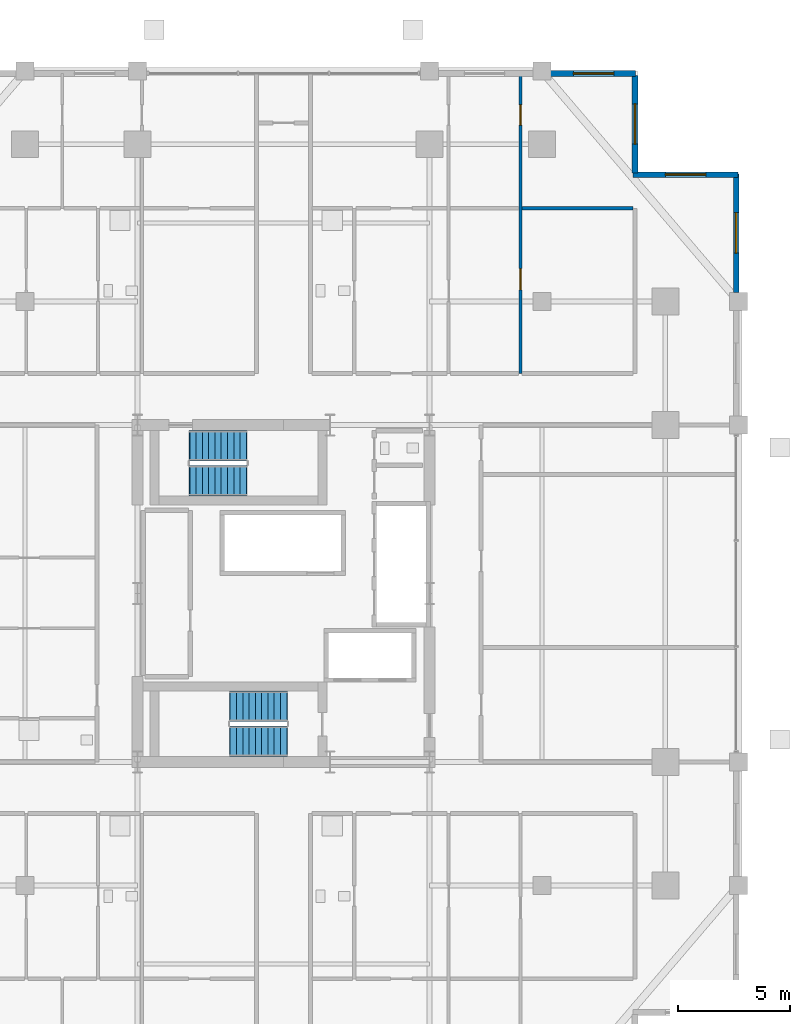
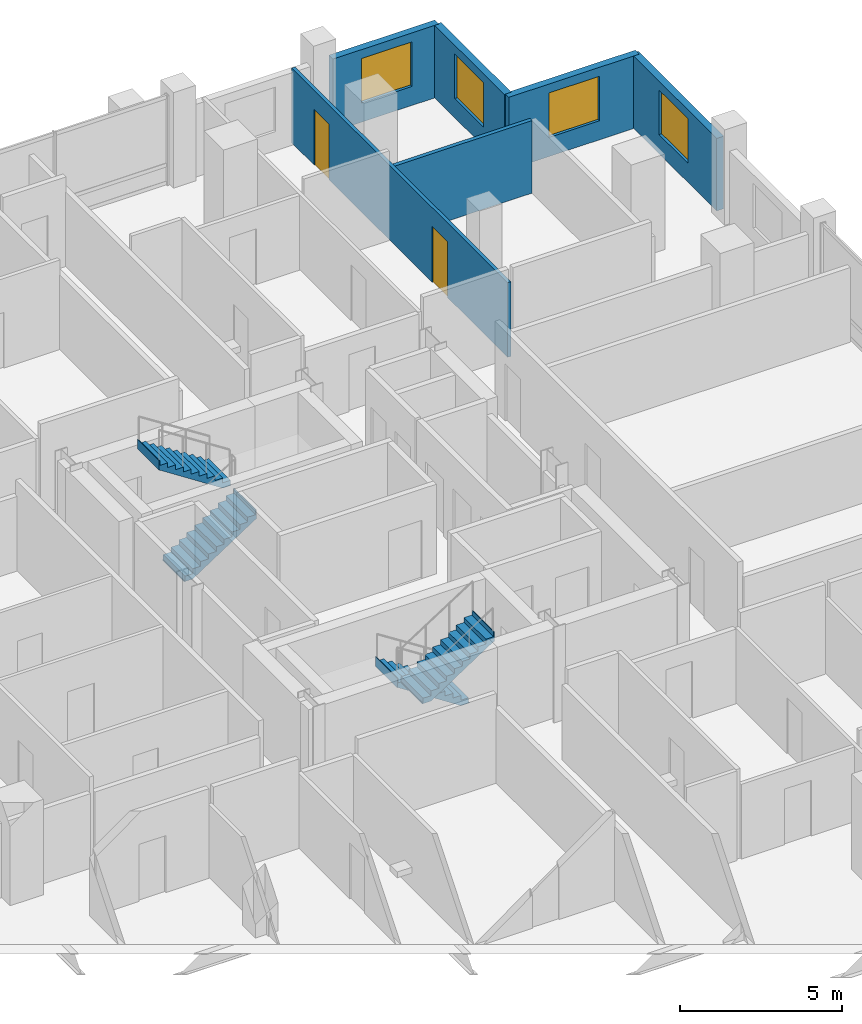
# One storey, part 18 of 20: 6 walls, 4 stair flights, 4 windows, 2 doors, 6 openings, 2 elements without a shape of their own.
"""IFC4 building model written with IfcOpenShell, lengths in metres."""

import ifcopenshell
import ifcopenshell.guid

model = None  # the IFC model being written
_history = None  # IfcOwnerHistory: only IFC2X3 demands one
_inside = {}  # id of a spatial element -> (the spatial element, [elements in it])
_under = {}  # id of a project, library or spatial element -> (it, [spatial elements below it])
_declared = {}  # id of a project -> (the project, [libraries it declares])
_typed = {}  # id of a type object -> (the type object, [elements of that type])
_made_of = {}  # id of a material, layer set ... -> (it, [elements and type objects made of it])


def new_model(schema):
    """Start an empty IFC model of exactly this schema.

    Asked for "IFC4X3", IfcOpenShell would pick the latest addendum, in which some entities
    have other attributes; the version numbers below select the first issue.
    IFC2X3 requires an IfcOwnerHistory on every rooted entity: one is made here for all.
    """
    global model, _history
    if schema == "IFC4X3":
        model = ifcopenshell.file(schema_version=(4, 3, 0, 0))
    else:
        model = ifcopenshell.file(schema=schema)
    _inside.clear()
    _under.clear()
    _declared.clear()
    _typed.clear()
    _made_of.clear()
    _history = None
    if model.schema == "IFC2X3":
        org = make("IfcOrganization", Name="unknown")
        user = make(
            "IfcPersonAndOrganization",
            ThePerson=make("IfcPerson", FamilyName="unknown"),
            TheOrganization=org,
        )
        app = make(
            "IfcApplication",
            ApplicationDeveloper=org,
            Version="unknown",
            ApplicationFullName="unknown",
            ApplicationIdentifier="unknown",
        )
        _history = make(
            "IfcOwnerHistory",
            OwningUser=user,
            OwningApplication=app,
            ChangeAction="ADDED",
            CreationDate=0,
        )
    return model


def make(cls, **values):
    """One entity of the class cls with the attributes given. An attribute that is None is left unset."""
    return model.create_entity(
        cls, **{name: value for name, value in values.items() if value is not None}
    )


def rooted(cls, **values):
    """An entity with a GlobalId (a new one), such as an element, a storey or a relation."""
    return make(cls, GlobalId=ifcopenshell.guid.new(), OwnerHistory=_history, **values)


def si_unit(unit_type, name, prefix=None):
    """IfcSIUnit, for example si_unit("LENGTHUNIT", "METRE", prefix="MILLI")."""
    return make("IfcSIUnit", UnitType=unit_type, Prefix=prefix, Name=name)


def assignment(units):
    """IfcUnitAssignment: the units of a project."""
    return None if units is None else make("IfcUnitAssignment", Units=units)


def point(xyz):
    """IfcCartesianPoint."""
    return None if xyz is None else make("IfcCartesianPoint", Coordinates=xyz)


def direction(xyz):
    """IfcDirection."""
    return None if xyz is None else make("IfcDirection", DirectionRatios=xyz)


def frame(location, z_axis=None, x_axis=None):
    """IfcAxis2Placement3D, a coordinate frame: its origin and axes. An axis left out is left unset."""
    return make(
        "IfcAxis2Placement3D",
        Location=point(location),
        Axis=direction(z_axis),
        RefDirection=direction(x_axis),
    )


def frame_2d(location, x_axis=None):
    """IfcAxis2Placement2D, a coordinate frame in the plane: its origin and x axis."""
    return make(
        "IfcAxis2Placement2D", Location=point(location), RefDirection=direction(x_axis)
    )


def origin():
    """The frame at (0, 0, 0) with its axes left unset."""
    return frame((0.0, 0.0, 0.0))


def place(relative_to, where):
    """IfcLocalPlacement: puts the frame where relative to a parent placement (None: the world)."""
    return make(
        "IfcLocalPlacement", PlacementRelTo=relative_to, RelativePlacement=where
    )


def context(
    kind, dimensions, precision=None, world=None, true_north=None, identifier=None
):
    """IfcGeometricRepresentationContext, for example the 3D "Model" context."""
    return make(
        "IfcGeometricRepresentationContext",
        ContextIdentifier=identifier,
        ContextType=kind,
        CoordinateSpaceDimension=dimensions,
        Precision=precision,
        WorldCoordinateSystem=world,
        TrueNorth=true_north,
    )


def subcontext(parent, identifier, kind, view, scale=None):
    """IfcGeometricRepresentationSubContext, for example "Body" below "Model"."""
    return make(
        "IfcGeometricRepresentationSubContext",
        ContextIdentifier=identifier,
        ContextType=kind,
        ParentContext=parent,
        TargetScale=scale,
        TargetView=view,
    )


def project(units=None, contexts=None):
    """IfcProject with its units and contexts."""
    return rooted(
        "IfcProject",
        Name="project",
        RepresentationContexts=contexts,
        UnitsInContext=assignment(units),
    )


def spatial(cls, under=None, at=None, **own):
    """A site, building, storey or space (cls), placed at a placement, below another one or the project."""
    s = rooted(cls, ObjectPlacement=at, **own)
    if under is not None:
        _under.setdefault(under.id(), (under, []))[1].append(s)
    return s


def polyline(points):
    """IfcPolyline through the points."""
    return make("IfcPolyline", Points=[point(p) for p in points])


def profile(cls, at=None, kind="AREA", **sizes):
    """A parametric profile (cls). Its sizes go by their IFC names, for example OverallWidth=200.0."""
    return make(cls, ProfileType=kind, Position=at, **sizes)


def rectangle(**sizes):
    """IfcRectangleProfileDef."""
    return profile("IfcRectangleProfileDef", **sizes)


def outline(outer, holes=None, kind="AREA"):
    """IfcArbitraryClosedProfileDef: a profile drawn as a closed curve; with holes, ...WithVoids."""
    if holes is None:
        return make("IfcArbitraryClosedProfileDef", ProfileType=kind, OuterCurve=outer)
    return make(
        "IfcArbitraryProfileDefWithVoids",
        ProfileType=kind,
        OuterCurve=outer,
        InnerCurves=holes,
    )


def extrude(swept, where, along, depth):
    """IfcExtrudedAreaSolid: the profile swept, set in the frame where, extruded along a direction by depth."""
    return make(
        "IfcExtrudedAreaSolid",
        SweptArea=swept,
        Position=where,
        ExtrudedDirection=direction(along),
        Depth=depth,
    )


def shape(context_of_items, identifier, shape_type, items):
    """IfcShapeRepresentation: the items that make up one representation, for example the "Body"."""
    return make(
        "IfcShapeRepresentation",
        ContextOfItems=context_of_items,
        RepresentationIdentifier=identifier,
        RepresentationType=shape_type,
        Items=items,
    )


def material(Name=None, Category=None):
    """IfcMaterial."""
    return make("IfcMaterial", Name=Name, Category=Category)


def layer(
    of_material, thickness, ventilated=None, Name=None, Category=None, Priority=None
):
    """IfcMaterialLayer: one layer of a wall or slab, of a material (None: an air gap)."""
    return make(
        "IfcMaterialLayer",
        Material=of_material,
        LayerThickness=thickness,
        IsVentilated=ventilated,
        Name=Name,
        Category=Category,
        Priority=Priority,
    )


def layer_set(layers, Name=None):
    """IfcMaterialLayerSet."""
    return make("IfcMaterialLayerSet", MaterialLayers=layers, LayerSetName=Name)


def made_of(thing, what):
    """Note that an element or type object is made of a material, layer set ...; save() writes the relation."""
    if what is not None:
        _made_of.setdefault(what.id(), (what, []))[1].append(thing)
    return thing


def type_object(cls, material=None, **own):
    """A type object (cls), such as IfcWallType, which elements share."""
    return made_of(rooted(cls, **own), material)


def element(
    cls,
    number,
    at=None,
    inside=None,
    cuts=None,
    type_object=None,
    material=None,
    context=None,
    identifier="Body",
    shape_type=None,
    held_by="IfcProductDefinitionShape",
    body=None,
    shapes=None,
    **own,
):
    """One element of the class cls, such as IfcWall. Its Tag is "e" and its number.

    at: its placement. inside: the storey or other place that contains it. cuts: it is an
    opening in that element (IfcRelVoidsElement). A single representation is given by context,
    identifier, shape_type and body (its items); several are given by shapes. held_by: the class
    of the entity that holds the representations. save() writes the other relations.
    """
    e = rooted(cls, Tag="e%d" % number, ObjectPlacement=at, **own)
    if body is not None:
        shapes = [shape(context, identifier, shape_type, body)]
    if shapes is not None:
        e.Representation = make(held_by, Representations=shapes)
    if inside is not None:
        _inside.setdefault(inside.id(), (inside, []))[1].append(e)
    if cuts is not None:
        rooted(
            "IfcRelVoidsElement", RelatingBuildingElement=cuts, RelatedOpeningElement=e
        )
    if type_object is not None:
        _typed.setdefault(type_object.id(), (type_object, []))[1].append(e)
    return made_of(e, material)


def fill(opening, filler):
    """IfcRelFillsElement: the door or window that sits in an opening."""
    return rooted(
        "IfcRelFillsElement",
        RelatingOpeningElement=opening,
        RelatedBuildingElement=filler,
    )


def aggregate(whole, parts):
    """IfcRelAggregates: a whole, such as a stair, and the parts it consists of."""
    return rooted("IfcRelAggregates", RelatingObject=whole, RelatedObjects=parts)


def save(model, path):
    """Write the relations noted so far, then the file.

    IfcRelAggregates (storeys below a building ...), IfcRelContainedInSpatialStructure (elements
    in a storey), IfcRelDefinesByType, IfcRelAssociatesMaterial and IfcRelDeclares: one each for
    every whole, place, type object, material and project.
    """
    for whole, parts in _under.values():
        aggregate(whole, parts)
    for where, things in _inside.values():
        rooted(
            "IfcRelContainedInSpatialStructure",
            RelatedElements=things,
            RelatingStructure=where,
        )
    for kind, things in _typed.values():
        rooted("IfcRelDefinesByType", RelatedObjects=things, RelatingType=kind)
    for what, things in _made_of.values():
        rooted("IfcRelAssociatesMaterial", RelatedObjects=things, RelatingMaterial=what)
    for by, libraries in _declared.values():
        rooted("IfcRelDeclares", RelatingContext=by, RelatedDefinitions=libraries)
    model.write(path)


model = new_model("IFC4")

# Units and contexts
model_context = context("Model", 3, precision=1e-05, world=origin(), true_north=direction((0.0, 1.0)))
body_context = subcontext(model_context, "Body", "Model", "MODEL_VIEW")
ifc_project = project(units=[si_unit("LENGTHUNIT", "METRE"), si_unit("AREAUNIT", "SQUARE_METRE"), si_unit("VOLUMEUNIT", "CUBIC_METRE"), si_unit("PLANEANGLEUNIT", "RADIAN"), si_unit("MASSUNIT", "GRAM", prefix="KILO")], contexts=[model_context])

# Site, building, storey
site_placement = place(None, origin())
site = spatial("IfcSite", under=ifc_project, at=site_placement, CompositionType="ELEMENT")
building_placement = place(site_placement, origin())
building = spatial("IfcBuilding", under=site, at=building_placement, Name="Barlavira Tower and Art Museum", CompositionType="ELEMENT")
storey_placement = place(building_placement, frame((0.0, 0.0, 136.800048828125)))
storey = spatial("IfcBuildingStorey", under=building, at=storey_placement, Name="L34", CompositionType="ELEMENT", Elevation=136.800048828125)

# Wall, openings, doors
ifc_material_1 = material(Name="Gypsum acoustic stud partition", Category="gypsum")
ifc_layer_1 = layer(ifc_material_1, 0.1201171875, Name="Gypsum acoustic stud partition")
ifc_layer_set_1 = layer_set([ifc_layer_1], Name="Gypsum acoustic stud partition")
wall_type_1 = type_object("IfcWallType", Name="Apartment Internal Acoustic Partition 120", PredefinedType="PARTITIONING", material=ifc_layer_set_1)
wall_1_placement = place(storey_placement, frame((10.550048828125, 9.800048828125, 0.0), z_axis=(0.0, 0.0, 1.0), x_axis=(0.0, 1.0, 0.0)))
wall_1 = element("IfcWall", 1, at=wall_1_placement, inside=storey, type_object=wall_type_1, Name="L34 Partition Wall 26", PredefinedType="PARTITIONING", context=body_context, shape_type="SweptSolid", body=[
    extrude(rectangle(XDim=13.349853515625, YDim=0.1201171875, at=frame_2d((6.6748046875, 0.0))), origin(), (0.0, 0.0, 1.0), 2.81591796875),
])
opening_1_placement = place(wall_1_placement, frame((3.71337890625, 0.0, 0.0)))
opening_1 = element("IfcOpeningElement", 2, at=opening_1_placement, cuts=wall_1, Name="Opening D-02", PredefinedType="OPENING", context=body_context, shape_type="SweptSolid", body=[
    extrude(rectangle(XDim=0.949951171875, YDim=2.10009765625, at=frame_2d((0.47509765625, 1.050048828125))), frame((0.0, 0.070068359375, 0.0), z_axis=(0.0, -1.0, 0.0), x_axis=(1.0, 0.0, 0.0)), (0.0, 0.0, 1.0), 0.14013671875),
])
opening_2_placement = place(wall_1_placement, frame((11.051025390625, 0.0, 0.0)))
opening_2 = element("IfcOpeningElement", 3, at=opening_2_placement, cuts=wall_1, Name="Opening D-01", PredefinedType="OPENING", context=body_context, shape_type="SweptSolid", body=[
    extrude(rectangle(XDim=0.89990234375, YDim=2.10009765625, at=frame_2d((0.449951171875, 1.050048828125))), frame((0.0, 0.070068359375, 0.0), z_axis=(0.0, -1.0, 0.0), x_axis=(1.0, 0.0, 0.0)), (0.0, 0.0, 1.0), 0.14013671875),
])
ifc_material_2 = material(Name="Engineered coastal hardwood", Category="wood")
door_type_1 = type_object("IfcDoorType", Name="Internal Bedroom Timber Flush Door 900x2100", OperationType="NOTDEFINED", PredefinedType="DOOR", material=ifc_material_2)
door_1_placement = place(opening_2_placement, origin())
door_1 = element("IfcDoor", 4, at=door_1_placement, inside=storey, type_object=door_type_1, Name="Apartment NE1 Bedroom 2 Door", OperationType="SINGLE_SWING_LEFT", OverallHeight=2.10009765625, OverallWidth=0.89990234375, PredefinedType="DOOR", context=body_context, shape_type="SweptSolid", body=[
    extrude(rectangle(XDim=0.89990234375, YDim=2.10009765625, at=frame_2d((0.449951171875, 1.050048828125))), frame((0.0, 0.02490234375, 0.0), z_axis=(0.0, -1.0, 0.0), x_axis=(1.0, 0.0, 0.0)), (0.0, 0.0, 1.0), 0.050048828125),
])
fill(opening_2, door_1)
door_type_2 = type_object("IfcDoorType", Name="Living and Salon Glazed-Leaf Door 950x2100", OperationType="NOTDEFINED", PredefinedType="DOOR", material=ifc_material_2)
door_2_placement = place(opening_1_placement, origin())
door_2 = element("IfcDoor", 5, at=door_2_placement, inside=storey, type_object=door_type_2, Name="Apartment NE1 Dining Salon Door", OperationType="SINGLE_SWING_RIGHT", OverallHeight=2.10009765625, OverallWidth=0.949951171875, PredefinedType="DOOR", context=body_context, shape_type="SweptSolid", body=[
    extrude(rectangle(XDim=0.949951171875, YDim=2.10009765625, at=frame_2d((0.47509765625, 1.050048828125))), frame((0.0, 0.02490234375, 0.0), z_axis=(0.0, -1.0, 0.0), x_axis=(1.0, 0.0, 0.0)), (0.0, 0.0, 1.0), 0.050048828125),
])
fill(opening_1, door_2)

# Wall
ifc_layer_2 = layer(ifc_material_1, 0.139892578125, Name="Gypsum acoustic stud partition")
ifc_layer_set_2 = layer_set([ifc_layer_2], Name="Gypsum acoustic stud partition")
wall_type_2 = type_object("IfcWallType", Name="Moisture-Resistant Bathroom Partition 140", PredefinedType="PARTITIONING", material=ifc_layer_set_2)
wall_2_placement = place(storey_placement, frame((10.6298828125, 17.14990234375, 0.0), z_axis=(0.0, 0.0, 1.0), x_axis=(1.0, 0.0, 0.0)))
element("IfcWall", 6, at=wall_2_placement, inside=storey, type_object=wall_type_2, Name="L34 Partition Wall 80", PredefinedType="PARTITIONING", context=body_context, shape_type="SweptSolid", body=[
    extrude(rectangle(XDim=4.940185546875, YDim=0.139892578125, at=frame_2d((2.47021484375, 0.0))), origin(), (0.0, 0.0, 1.0), 2.73583984375),
])

# Wall, opening, window
ifc_material_3 = material(Name="Precast concrete C40", Category="concrete")
ifc_layer_3 = layer(ifc_material_3, 0.25, Name="Precast concrete C40")
ifc_layer_set_3 = layer_set([ifc_layer_3], Name="Precast concrete C40")
wall_type_3 = type_object("IfcWallType", Name="Notched Corner Spandrel Wall 250 Precast Concrete C40", PredefinedType="SOLIDWALL", material=ifc_layer_set_3)
wall_3_placement = place(storey_placement, frame((15.675048828125, 23.14990234375, 0.0), z_axis=(0.0, 0.0, 1.0), x_axis=(-1.0, 0.0, 0.0)))
wall_3 = element("IfcWall", 7, at=wall_3_placement, inside=storey, type_object=wall_type_3, Name="L34 Coastal Facade Pier Wall CW2-L34-N-1", PredefinedType="SOLIDWALL", context=body_context, shape_type="SweptSolid", body=[
    extrude(rectangle(XDim=3.780029296875, YDim=0.25, at=frame_2d((1.89013671875, 0.0))), origin(), (0.0, 0.0, 1.0), 2.73583984375),
])
opening_3_placement = place(wall_3_placement, frame((0.968017578125, 0.0, 0.719970703125)))
opening_3 = element("IfcOpeningElement", 8, at=opening_3_placement, cuts=wall_3, Name="Opening WN-01", PredefinedType="OPENING", context=body_context, shape_type="SweptSolid", body=[
    extrude(rectangle(XDim=1.800048828125, YDim=1.679931640625, at=frame_2d((0.89990234375, 0.83984375))), frame((0.0, 0.135009765625, 0.0), z_axis=(0.0, -1.0, 0.0), x_axis=(1.0, 0.0, 0.0)), (0.0, 0.0, 1.0), 0.27001953125),
])
ifc_material_4 = material(Name="Low-iron coastal laminated glass", Category="glass")
window_type = type_object("IfcWindowType", Name="Recessed Notch Corner Punch Window 1800x1680", PartitioningType="SINGLE_PANEL", PredefinedType="WINDOW", material=ifc_material_4)
window_1_placement = place(opening_3_placement, origin())
window_1 = element("IfcWindow", 9, at=window_1_placement, inside=storey, type_object=window_type, Name="L34 Punched Facade Window EWP-CW2-L34-N-1-1", OverallHeight=1.679931640625, OverallWidth=1.800048828125, PartitioningType="SINGLE_PANEL", PredefinedType="WINDOW", context=body_context, shape_type="SweptSolid", body=[
    extrude(rectangle(XDim=1.800048828125, YDim=1.679931640625, at=frame_2d((0.89990234375, 0.83984375))), frame((0.0, 0.030029296875, 0.0), z_axis=(0.0, -1.0, 0.0), x_axis=(1.0, 0.0, 0.0)), (0.0, 0.0, 1.0), 0.06005859375),
])
fill(opening_3, window_1)

wall_4_placement = place(storey_placement, frame((20.14990234375, 13.39501953125, 0.0), z_axis=(0.0, 0.0, 1.0), x_axis=(0.0, 1.0, 0.0)))
wall_4 = element("IfcWall", 10, at=wall_4_placement, inside=storey, type_object=wall_type_3, Name="L34 Coastal Facade Pier Wall CW2-L34-E-5", PredefinedType="SOLIDWALL", context=body_context, shape_type="SweptSolid", body=[
    extrude(rectangle(XDim=5.280029296875, YDim=0.25, at=frame_2d((2.64013671875, 0.0))), origin(), (0.0, 0.0, 1.0), 2.73583984375),
])
opening_4_placement = place(wall_4_placement, frame((1.762939453125, 0.0, 0.719970703125)))
opening_4 = element("IfcOpeningElement", 11, at=opening_4_placement, cuts=wall_4, Name="Opening WN-01", PredefinedType="OPENING", context=body_context, shape_type="SweptSolid", body=[
    extrude(rectangle(XDim=1.800048828125, YDim=1.679931640625, at=frame_2d((0.89990234375, 0.83984375))), frame((0.0, 0.135009765625, 0.0), z_axis=(0.0, -1.0, 0.0), x_axis=(1.0, 0.0, 0.0)), (0.0, 0.0, 1.0), 0.27001953125),
])
window_2_placement = place(opening_4_placement, origin())
window_2 = element("IfcWindow", 12, at=window_2_placement, inside=storey, type_object=window_type, Name="L34 Punched Facade Window EWP-CW2-L34-E-5-1", OverallHeight=1.679931640625, OverallWidth=1.800048828125, PartitioningType="SINGLE_PANEL", PredefinedType="WINDOW", context=body_context, shape_type="SweptSolid", body=[
    extrude(rectangle(XDim=1.800048828125, YDim=1.679931640625, at=frame_2d((0.89990234375, 0.83984375))), frame((0.0, 0.030029296875, 0.0), z_axis=(0.0, -1.0, 0.0), x_axis=(1.0, 0.0, 0.0)), (0.0, 0.0, 1.0), 0.06005859375),
])
fill(opening_4, window_2)

wall_5_placement = place(storey_placement, frame((20.22998046875, 18.64990234375, 0.0), z_axis=(0.0, 0.0, 1.0), x_axis=(-1.0, 0.0, 0.0)))
wall_5 = element("IfcWall", 13, at=wall_5_placement, inside=storey, type_object=wall_type_3, Name="L34 Notch Corner Wall NE1", PredefinedType="SOLIDWALL", context=body_context, shape_type="SweptSolid", body=[
    extrude(rectangle(XDim=4.659912109375, YDim=0.25, at=frame_2d((2.330078125, 0.0))), origin(), (0.0, 0.0, 1.0), 2.73583984375),
])
opening_5_placement = place(wall_5_placement, frame((1.429931640625, 0.0, 0.719970703125)))
opening_5 = element("IfcOpeningElement", 14, at=opening_5_placement, cuts=wall_5, Name="Opening WN-01", PredefinedType="OPENING", context=body_context, shape_type="SweptSolid", body=[
    extrude(rectangle(XDim=1.800048828125, YDim=1.679931640625, at=frame_2d((0.89990234375, 0.83984375))), frame((0.0, 0.135009765625, 0.0), z_axis=(0.0, -1.0, 0.0), x_axis=(1.0, 0.0, 0.0)), (0.0, 0.0, 1.0), 0.27001953125),
])
window_3_placement = place(opening_5_placement, origin())
window_3 = element("IfcWindow", 15, at=window_3_placement, inside=storey, type_object=window_type, Name="L34 Punched Facade Window EW-NTC-L34-NE1-1", OverallHeight=1.679931640625, OverallWidth=1.800048828125, PartitioningType="SINGLE_PANEL", PredefinedType="WINDOW", context=body_context, shape_type="SweptSolid", body=[
    extrude(rectangle(XDim=1.800048828125, YDim=1.679931640625, at=frame_2d((0.89990234375, 0.83984375))), frame((0.0, 0.030029296875, 0.0), z_axis=(0.0, -1.0, 0.0), x_axis=(1.0, 0.0, 0.0)), (0.0, 0.0, 1.0), 0.06005859375),
])
fill(opening_5, window_3)

wall_6_placement = place(storey_placement, frame((15.64990234375, 18.72998046875, 0.0), z_axis=(0.0, 0.0, 1.0), x_axis=(0.0, 1.0, 0.0)))
wall_6 = element("IfcWall", 16, at=wall_6_placement, inside=storey, type_object=wall_type_3, Name="L34 Notch Corner Wall NE2", PredefinedType="SOLIDWALL", context=body_context, shape_type="SweptSolid", body=[
    extrude(rectangle(XDim=4.340087890625, YDim=0.25, at=frame_2d((2.169921875, 0.0))), origin(), (0.0, 0.0, 1.0), 2.73583984375),
])
opening_6_placement = place(wall_6_placement, frame((1.27001953125, 0.0, 0.719970703125)))
opening_6 = element("IfcOpeningElement", 17, at=opening_6_placement, cuts=wall_6, Name="Opening WN-01", PredefinedType="OPENING", context=body_context, shape_type="SweptSolid", body=[
    extrude(rectangle(XDim=1.800048828125, YDim=1.679931640625, at=frame_2d((0.89990234375, 0.83984375))), frame((0.0, 0.135009765625, 0.0), z_axis=(0.0, -1.0, 0.0), x_axis=(1.0, 0.0, 0.0)), (0.0, 0.0, 1.0), 0.27001953125),
])
window_4_placement = place(opening_6_placement, origin())
window_4 = element("IfcWindow", 18, at=window_4_placement, inside=storey, type_object=window_type, Name="L34 Punched Facade Window EW-NTC-L34-NE2-1", OverallHeight=1.679931640625, OverallWidth=1.800048828125, PartitioningType="SINGLE_PANEL", PredefinedType="WINDOW", context=body_context, shape_type="SweptSolid", body=[
    extrude(rectangle(XDim=1.800048828125, YDim=1.679931640625, at=frame_2d((0.89990234375, 0.83984375))), frame((0.0, 0.030029296875, 0.0), z_axis=(0.0, -1.0, 0.0), x_axis=(1.0, 0.0, 0.0)), (0.0, 0.0, 1.0), 0.06005859375),
])
fill(opening_6, window_4)

# Stair, stair flights
ifc_material_5 = material(Name="Concrete C45", Category="concrete")
stair_type_1 = type_object("IfcStairType", Name="Tower North Dog-Leg Exit Stair Assembly Concrete C45", PredefinedType="TWO_QUARTER_TURN_STAIR", material=ifc_material_5)
stair_1_placement = place(storey_placement, origin())
stair_1 = element("IfcStair", 19, at=stair_1_placement, inside=storey, type_object=stair_type_1, Name="L34 Tower North Exit Stair ST-T2", PredefinedType="TWO_QUARTER_TURN_STAIR")
ifc_material_6 = material(Name="Precast concrete C45", Category="concrete")
stair_flight_type_1 = type_object("IfcStairFlightType", Name="Tower North Dog-Leg Exit Stair Precast Flight 1350 Concrete C45", PredefinedType="STRAIGHT", material=ifc_material_6)
stair_flight_1_placement = place(storey_placement, frame((-4.169921875, 5.02490234375, 0.0), z_axis=(0.0, 0.0, 1.0), x_axis=(1.0, 0.0, 0.0)))
stair_flight_1 = element("IfcStairFlight", 20, at=stair_flight_1_placement, type_object=stair_flight_type_1, Name="ST-T2 flight 1", NumberOfRisers=10, NumberOfTreads=9, PredefinedType="STRAIGHT", RiserHeight=0.18, TreadLength=0.28, context=body_context, shape_type="SweptSolid", body=[
    extrude(outline(polyline([(-0.02490234375, 0.0), (0.0, 0.0), (0.0, 0.179931640625), (0.280029296875, 0.179931640625), (0.280029296875, 0.360107421875), (0.56005859375, 0.360107421875), (0.56005859375, 0.5400390625), (0.840087890625, 0.5400390625), (0.840087890625, 0.719970703125), (1.1201171875, 0.719970703125), (1.1201171875, 0.89990234375), (1.39990234375, 0.89990234375), (1.39990234375, 1.080078125), (1.679931640625, 1.080078125), (1.679931640625, 1.260009765625), (1.9599609375, 1.260009765625), (1.9599609375, 1.43994140625), (2.239990234375, 1.43994140625), (2.239990234375, 1.6201171875), (2.52001953125, 1.6201171875), (2.52001953125, 1.800048828125), (2.544921875, 1.800048828125), (2.544921875, 1.44189453125), (2.52001953125, 1.44189453125), (0.277099609375, -0.02490234375), (-0.02490234375, -0.02490234375), (-0.02490234375, 0.0)])), frame((0.0, 0.675048828125, 0.0), z_axis=(0.0, -1.0, 0.0), x_axis=(1.0, 0.0, 0.0)), (0.0, 0.0, 1.0), 1.35009765625),
])
stair_flight_2_placement = place(storey_placement, frame((-1.64990234375, 6.574951171875, 1.800048828125), z_axis=(0.0, 0.0, 1.0), x_axis=(-1.0, 0.0, 0.0)))
stair_flight_2 = element("IfcStairFlight", 21, at=stair_flight_2_placement, type_object=stair_flight_type_1, Name="ST-T2 flight 2", NumberOfRisers=10, NumberOfTreads=9, PredefinedType="STRAIGHT", RiserHeight=0.18, TreadLength=0.28, context=body_context, shape_type="SweptSolid", body=[
    extrude(outline(polyline([(-0.02490234375, 0.0), (0.0, 0.0), (0.0, 0.179931640625), (0.280029296875, 0.179931640625), (0.280029296875, 0.360107421875), (0.56005859375, 0.360107421875), (0.56005859375, 0.5400390625), (0.840087890625, 0.5400390625), (0.840087890625, 0.719970703125), (1.1201171875, 0.719970703125), (1.1201171875, 0.89990234375), (1.39990234375, 0.89990234375), (1.39990234375, 1.080078125), (1.679931640625, 1.080078125), (1.679931640625, 1.260009765625), (1.9599609375, 1.260009765625), (1.9599609375, 1.43994140625), (2.239990234375, 1.43994140625), (2.239990234375, 1.6201171875), (2.52001953125, 1.6201171875), (2.52001953125, 1.800048828125), (2.544921875, 1.800048828125), (2.544921875, 1.44189453125), (2.52001953125, 1.44189453125), (0.277099609375, -0.02490234375), (-0.02490234375, -0.02490234375), (-0.02490234375, 0.0)])), frame((0.0, 0.675048828125, 0.0), z_axis=(0.0, -1.0, 0.0), x_axis=(1.0, 0.0, 0.0)), (0.0, 0.0, 1.0), 1.35009765625),
])
aggregate(stair_1, [stair_flight_1, stair_flight_2])

stair_type_2 = type_object("IfcStairType", Name="Tower South Dog-Leg Exit Stair Assembly Concrete C45", PredefinedType="TWO_QUARTER_TURN_STAIR", material=ifc_material_5)
stair_2_placement = place(storey_placement, origin())
stair_2 = element("IfcStair", 22, at=stair_2_placement, inside=storey, type_object=stair_type_2, Name="L34 Tower South Exit Stair ST-T1", PredefinedType="TWO_QUARTER_TURN_STAIR")
stair_flight_type_2 = type_object("IfcStairFlightType", Name="Tower South Dog-Leg Exit Stair Precast Flight 1350 Concrete C45", PredefinedType="STRAIGHT", material=ifc_material_6)
stair_flight_3_placement = place(storey_placement, frame((0.14990234375, -5.02490234375, 0.0), z_axis=(0.0, 0.0, 1.0), x_axis=(-1.0, 0.0, 0.0)))
stair_flight_3 = element("IfcStairFlight", 23, at=stair_flight_3_placement, type_object=stair_flight_type_2, Name="ST-T1 flight 1", NumberOfRisers=10, NumberOfTreads=9, PredefinedType="STRAIGHT", RiserHeight=0.18, TreadLength=0.28, context=body_context, shape_type="SweptSolid", body=[
    extrude(outline(polyline([(-0.02490234375, 0.0), (0.0, 0.0), (0.0, 0.179931640625), (0.280029296875, 0.179931640625), (0.280029296875, 0.360107421875), (0.56005859375, 0.360107421875), (0.56005859375, 0.5400390625), (0.840087890625, 0.5400390625), (0.840087890625, 0.719970703125), (1.1201171875, 0.719970703125), (1.1201171875, 0.89990234375), (1.39990234375, 0.89990234375), (1.39990234375, 1.080078125), (1.679931640625, 1.080078125), (1.679931640625, 1.260009765625), (1.9599609375, 1.260009765625), (1.9599609375, 1.43994140625), (2.239990234375, 1.43994140625), (2.239990234375, 1.6201171875), (2.52001953125, 1.6201171875), (2.52001953125, 1.800048828125), (2.544921875, 1.800048828125), (2.544921875, 1.44189453125), (2.52001953125, 1.44189453125), (0.277099609375, -0.02490234375), (-0.02490234375, -0.02490234375), (-0.02490234375, 0.0)])), frame((0.0, 0.675048828125, 0.0), z_axis=(0.0, -1.0, 0.0), x_axis=(1.0, 0.0, 0.0)), (0.0, 0.0, 1.0), 1.35009765625),
])
stair_flight_4_placement = place(storey_placement, frame((-2.3701171875, -6.574951171875, 1.800048828125), z_axis=(0.0, 0.0, 1.0), x_axis=(1.0, 0.0, 0.0)))
stair_flight_4 = element("IfcStairFlight", 24, at=stair_flight_4_placement, type_object=stair_flight_type_2, Name="ST-T1 flight 2", NumberOfRisers=10, NumberOfTreads=9, PredefinedType="STRAIGHT", RiserHeight=0.18, TreadLength=0.28, context=body_context, shape_type="SweptSolid", body=[
    extrude(outline(polyline([(-0.02490234375, 0.0), (0.0, 0.0), (0.0, 0.179931640625), (0.280029296875, 0.179931640625), (0.280029296875, 0.360107421875), (0.56005859375, 0.360107421875), (0.56005859375, 0.5400390625), (0.840087890625, 0.5400390625), (0.840087890625, 0.719970703125), (1.1201171875, 0.719970703125), (1.1201171875, 0.89990234375), (1.39990234375, 0.89990234375), (1.39990234375, 1.080078125), (1.679931640625, 1.080078125), (1.679931640625, 1.260009765625), (1.9599609375, 1.260009765625), (1.9599609375, 1.43994140625), (2.239990234375, 1.43994140625), (2.239990234375, 1.6201171875), (2.52001953125, 1.6201171875), (2.52001953125, 1.800048828125), (2.544921875, 1.800048828125), (2.544921875, 1.44189453125), (2.52001953125, 1.44189453125), (0.277099609375, -0.02490234375), (-0.02490234375, -0.02490234375), (-0.02490234375, 0.0)])), frame((0.0, 0.675048828125, 0.0), z_axis=(0.0, -1.0, 0.0), x_axis=(1.0, 0.0, 0.0)), (0.0, 0.0, 1.0), 1.35009765625),
])
aggregate(stair_2, [stair_flight_3, stair_flight_4])

save(model, "model.ifc")
